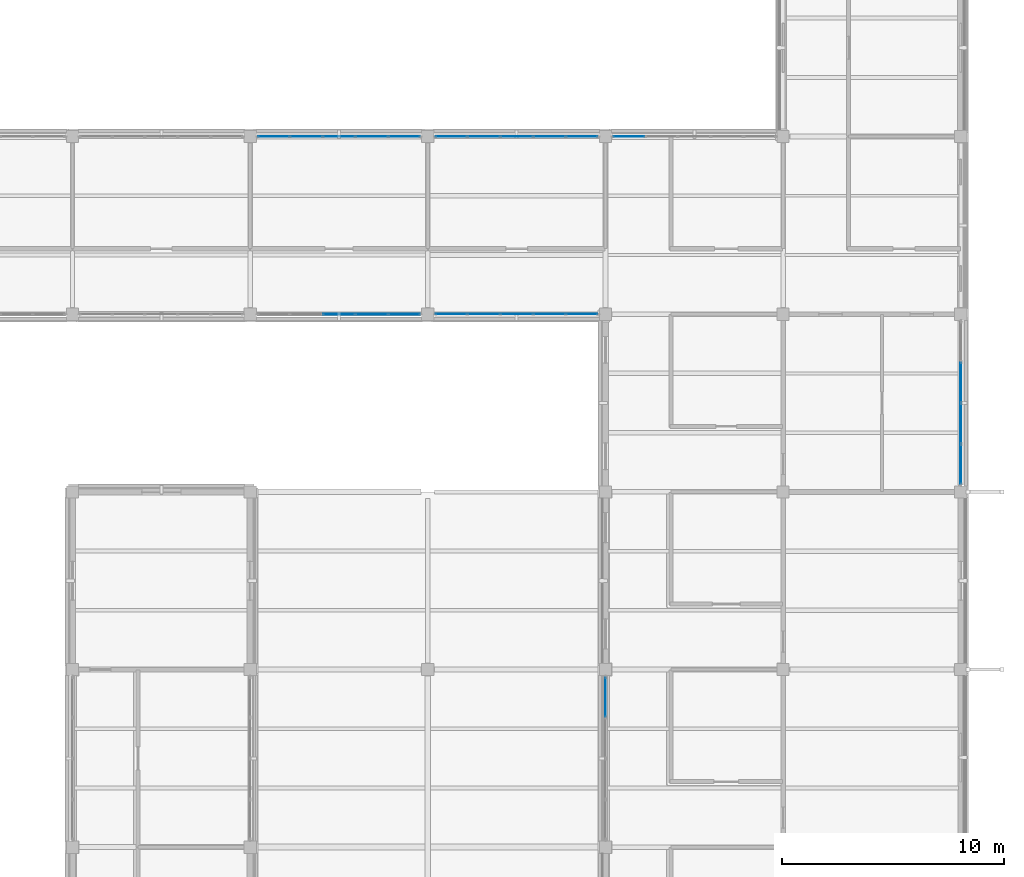
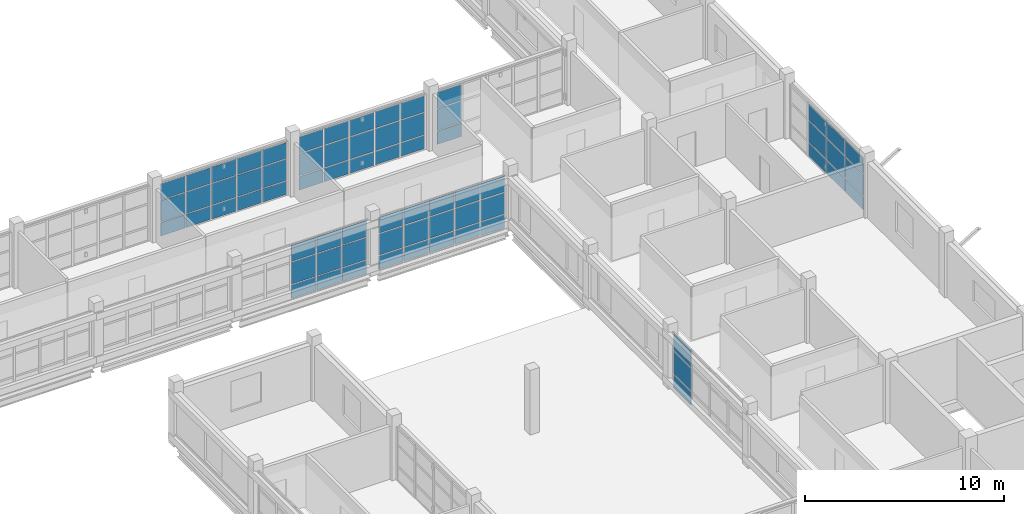
# One storey, part 67 of 107: 69 plates, 7 elements without a shape of their own.
"""IFC4 building model written with IfcOpenShell, lengths in metres."""

from ifc_helpers import new_model, si_unit, derived_unit, direction, frame, origin, origin_2d, place, context, subcontext, project, spatial, rectangle, extrude, material, layer, layer_set, type_object, element, aggregate, save


model = new_model("IFC4")

# Units and contexts
model_context = context("Model", 3, precision=1e-05, world=origin(), true_north=direction((0.0, 1.0)))
body_context = subcontext(model_context, "Body", "Model", "MODEL_VIEW")
ifc_project = project(units=[si_unit("LENGTHUNIT", "METRE"), si_unit("AREAUNIT", "SQUARE_METRE"), si_unit("VOLUMEUNIT", "CUBIC_METRE"), si_unit("PLANEANGLEUNIT", "RADIAN"), si_unit("MASSUNIT", "GRAM", prefix="KILO"), derived_unit("THERMALTRANSMITTANCEUNIT", [(si_unit("MASSUNIT", "GRAM", prefix="KILO"), 1), (si_unit("TIMEUNIT", "SECOND"), -3), (si_unit("THERMODYNAMICTEMPERATUREUNIT", "KELVIN"), -1)])], contexts=[model_context])

# Site, building, storey
site_placement = place(None, origin())
site = spatial("IfcSite", under=ifc_project, at=site_placement, CompositionType="ELEMENT")
building_placement = place(site_placement, origin())
building = spatial("IfcBuilding", under=site, at=building_placement, Name="Veyamyaing Civic Hall", CompositionType="ELEMENT")
storey_placement = place(building_placement, frame((0.0, 0.0, 13.860107421875)))
storey = spatial("IfcBuildingStorey", under=building, at=storey_placement, Name="L03", CompositionType="ELEMENT", Elevation=13.860107421875)

# Curtain wall, plates
ifc_material_1 = material(Name="Anodised aluminium 6063-T6", Category="aluminium")
ifc_layer_1 = layer(ifc_material_1, 0.139892578125, Name="Anodised aluminium 6063-T6")
ifc_layer_set_1 = layer_set([ifc_layer_1], Name="Anodised aluminium 6063-T6")
curtain_wall_type_1 = type_object("IfcCurtainWallType", Name="CW-04", PredefinedType="NOTDEFINED", material=ifc_layer_set_1)
curtain_wall_1_placement = place(storey_placement, origin())
curtain_wall_1 = element("IfcCurtainWall", 1, at=curtain_wall_1_placement, inside=storey, type_object=curtain_wall_type_1, Name="Unitized curtain wall CW-04 L03 N 21.7", PredefinedType="NOTDEFINED")
ifc_material_2 = material(Name="Low-E insulated glass", Category="glass")
ifc_layer_2 = layer(ifc_material_2, 0.028076171875, Name="Low-E insulated glass")
ifc_layer_set_2 = layer_set([ifc_layer_2], Name="Low-E insulated glass")
plate_type_1 = type_object("IfcPlateType", Name="CWP-01", PredefinedType="CURTAIN_PANEL", material=ifc_layer_set_2)
plate_1_placement = place(storey_placement, frame((161.05908203125, 56.0, 0.059814453125), z_axis=(0.0, 0.0, 1.0), x_axis=(1.0, 0.0, 0.0)))
plate_1 = element("IfcPlate", 2, at=plate_1_placement, type_object=plate_type_1, Name="CW-04 panel 1.1", PredefinedType="CURTAIN_PANEL", context=body_context, shape_type="SweptSolid", body=[
    extrude(rectangle(XDim=1.387939453125, YDim=0.028076171875, at=origin_2d()), origin(), (0.0, 0.0, 1.0), 0.81005859375),
])
plate_2_placement = place(storey_placement, frame((161.05908203125, 56.0, 0.929931640625), z_axis=(0.0, 0.0, 1.0), x_axis=(1.0, 0.0, 0.0)))
plate_2 = element("IfcPlate", 3, at=plate_2_placement, type_object=plate_type_1, Name="CW-04 panel 1.2", PredefinedType="CURTAIN_PANEL", context=body_context, shape_type="SweptSolid", body=[
    extrude(rectangle(XDim=1.387939453125, YDim=0.028076171875, at=origin_2d()), origin(), (0.0, 0.0, 1.0), 1.28662109375),
])
plate_3_placement = place(storey_placement, frame((161.05908203125, 56.0, 2.276611328125), z_axis=(0.0, 0.0, 1.0), x_axis=(1.0, 0.0, 0.0)))
plate_3 = element("IfcPlate", 4, at=plate_3_placement, type_object=plate_type_1, Name="CW-04 panel 1.3", PredefinedType="CURTAIN_PANEL", context=body_context, shape_type="SweptSolid", body=[
    extrude(rectangle(XDim=1.387939453125, YDim=0.028076171875, at=origin_2d()), origin(), (0.0, 0.0, 1.0), 0.96728515625),
])
aggregate(curtain_wall_1, [plate_1, plate_2, plate_3])

ifc_layer_3 = layer(ifc_material_1, 0.159912109375, Name="Anodised aluminium 6063-T6")
ifc_layer_set_3 = layer_set([ifc_layer_3], Name="Anodised aluminium 6063-T6")
curtain_wall_type_2 = type_object("IfcCurtainWallType", Name="CW-07", PredefinedType="NOTDEFINED", material=ifc_layer_set_3)
curtain_wall_2_placement = place(storey_placement, origin())
curtain_wall_2 = element("IfcCurtainWall", 5, at=curtain_wall_2_placement, inside=storey, type_object=curtain_wall_type_2, Name="Unitized curtain wall CW-07 L03 E 22.6", PredefinedType="NOTDEFINED")
plate_4_placement = place(storey_placement, frame((176.0, 41.2451171875, 0.06494140625), z_axis=(0.0, 0.0, 1.0), x_axis=(0.0, 1.0, 0.0)))
plate_4 = element("IfcPlate", 6, at=plate_4_placement, type_object=plate_type_1, Name="CW-07 panel 1.1", PredefinedType="CURTAIN_PANEL", context=body_context, shape_type="SweptSolid", body=[
    extrude(rectangle(XDim=1.75, YDim=0.028076171875, at=origin_2d()), origin(), (0.0, 0.0, 1.0), 0.802490234375),
])
plate_5_placement = place(storey_placement, frame((176.0, 41.2451171875, 0.932373046875), z_axis=(0.0, 0.0, 1.0), x_axis=(0.0, 1.0, 0.0)))
plate_5 = element("IfcPlate", 7, at=plate_5_placement, type_object=plate_type_1, Name="CW-07 panel 1.2", PredefinedType="CURTAIN_PANEL", context=body_context, shape_type="SweptSolid", body=[
    extrude(rectangle(XDim=1.75, YDim=0.028076171875, at=origin_2d()), origin(), (0.0, 0.0, 1.0), 1.28173828125),
])
plate_6_placement = place(storey_placement, frame((176.0, 41.2451171875, 2.279296875), z_axis=(0.0, 0.0, 1.0), x_axis=(0.0, 1.0, 0.0)))
plate_6 = element("IfcPlate", 8, at=plate_6_placement, type_object=plate_type_1, Name="CW-07 panel 1.3", PredefinedType="CURTAIN_PANEL", context=body_context, shape_type="SweptSolid", body=[
    extrude(rectangle(XDim=1.75, YDim=0.028076171875, at=origin_2d()), origin(), (0.0, 0.0, 1.0), 0.959716796875),
])
plate_7_placement = place(storey_placement, frame((176.0, 43.076171875, 0.06494140625), z_axis=(0.0, 0.0, 1.0), x_axis=(0.0, 1.0, 0.0)))
plate_7 = element("IfcPlate", 9, at=plate_7_placement, type_object=plate_type_1, Name="CW-07 panel 2.1", PredefinedType="CURTAIN_PANEL", context=body_context, shape_type="SweptSolid", body=[
    extrude(rectangle(XDim=1.782470703125, YDim=0.028076171875, at=origin_2d()), origin(), (0.0, 0.0, 1.0), 0.802490234375),
])
plate_8_placement = place(storey_placement, frame((176.0, 43.076171875, 0.932373046875), z_axis=(0.0, 0.0, 1.0), x_axis=(0.0, 1.0, 0.0)))
plate_8 = element("IfcPlate", 10, at=plate_8_placement, type_object=plate_type_1, Name="CW-07 panel 2.2", PredefinedType="CURTAIN_PANEL", context=body_context, shape_type="SweptSolid", body=[
    extrude(rectangle(XDim=1.782470703125, YDim=0.028076171875, at=origin_2d()), origin(), (0.0, 0.0, 1.0), 1.28173828125),
])
plate_9_placement = place(storey_placement, frame((176.0, 43.076171875, 2.279296875), z_axis=(0.0, 0.0, 1.0), x_axis=(0.0, 1.0, 0.0)))
plate_9 = element("IfcPlate", 11, at=plate_9_placement, type_object=plate_type_1, Name="CW-07 panel 2.3", PredefinedType="CURTAIN_PANEL", context=body_context, shape_type="SweptSolid", body=[
    extrude(rectangle(XDim=1.782470703125, YDim=0.028076171875, at=origin_2d()), origin(), (0.0, 0.0, 1.0), 0.959716796875),
])
plate_10_placement = place(storey_placement, frame((176.0, 44.923828125, 0.06494140625), z_axis=(0.0, 0.0, 1.0), x_axis=(0.0, 1.0, 0.0)))
plate_10 = element("IfcPlate", 12, at=plate_10_placement, type_object=plate_type_1, Name="CW-07 panel 3.1", PredefinedType="CURTAIN_PANEL", context=body_context, shape_type="SweptSolid", body=[
    extrude(rectangle(XDim=1.782470703125, YDim=0.028076171875, at=origin_2d()), origin(), (0.0, 0.0, 1.0), 0.802490234375),
])
plate_11_placement = place(storey_placement, frame((176.0, 44.923828125, 0.932373046875), z_axis=(0.0, 0.0, 1.0), x_axis=(0.0, 1.0, 0.0)))
plate_11 = element("IfcPlate", 13, at=plate_11_placement, type_object=plate_type_1, Name="CW-07 panel 3.2", PredefinedType="CURTAIN_PANEL", context=body_context, shape_type="SweptSolid", body=[
    extrude(rectangle(XDim=1.782470703125, YDim=0.028076171875, at=origin_2d()), origin(), (0.0, 0.0, 1.0), 1.28173828125),
])
plate_12_placement = place(storey_placement, frame((176.0, 44.923828125, 2.279296875), z_axis=(0.0, 0.0, 1.0), x_axis=(0.0, 1.0, 0.0)))
plate_12 = element("IfcPlate", 14, at=plate_12_placement, type_object=plate_type_1, Name="CW-07 panel 3.3", PredefinedType="CURTAIN_PANEL", context=body_context, shape_type="SweptSolid", body=[
    extrude(rectangle(XDim=1.782470703125, YDim=0.028076171875, at=origin_2d()), origin(), (0.0, 0.0, 1.0), 0.959716796875),
])
aggregate(curtain_wall_2, [plate_4, plate_5, plate_6, plate_7, plate_8, plate_9, plate_10, plate_11, plate_12])

curtain_wall_3_placement = place(storey_placement, origin())
curtain_wall_3 = element("IfcCurtainWall", 15, at=curtain_wall_3_placement, inside=storey, type_object=curtain_wall_type_2, Name="Unitized curtain wall CW-07 L03 W 21.4", PredefinedType="NOTDEFINED")
ifc_layer_4 = layer(ifc_material_2, 0.02392578125, Name="Low-E insulated glass")
ifc_layer_set_4 = layer_set([ifc_layer_4], Name="Low-E insulated glass")
plate_type_2 = type_object("IfcPlateType", Name="CWP-04", PredefinedType="CURTAIN_PANEL", material=ifc_layer_set_4)
plate_13_placement = place(storey_placement, frame((160.0, 30.7548828125, 0.06494140625), z_axis=(0.0, 0.0, 1.0), x_axis=(0.0, 1.0, 0.0)))
plate_13 = element("IfcPlate", 16, at=plate_13_placement, type_object=plate_type_2, Name="CW-07 panel 4.1", PredefinedType="CURTAIN_PANEL", context=body_context, shape_type="SweptSolid", body=[
    extrude(rectangle(XDim=1.75, YDim=0.02392578125, at=origin_2d()), origin(), (0.0, 0.0, 1.0), 0.802490234375),
])
plate_14_placement = place(storey_placement, frame((160.0, 30.7548828125, 0.932373046875), z_axis=(0.0, 0.0, 1.0), x_axis=(0.0, 1.0, 0.0)))
plate_14 = element("IfcPlate", 17, at=plate_14_placement, type_object=plate_type_2, Name="CW-07 panel 4.2", PredefinedType="CURTAIN_PANEL", context=body_context, shape_type="SweptSolid", body=[
    extrude(rectangle(XDim=1.75, YDim=0.02392578125, at=origin_2d()), origin(), (0.0, 0.0, 1.0), 1.3837890625),
])
plate_15_placement = place(storey_placement, frame((160.0, 30.7548828125, 2.381103515625), z_axis=(0.0, 0.0, 1.0), x_axis=(0.0, 1.0, 0.0)))
plate_15 = element("IfcPlate", 18, at=plate_15_placement, type_object=plate_type_2, Name="CW-07 panel 4.3", PredefinedType="CURTAIN_PANEL", context=body_context, shape_type="SweptSolid", body=[
    extrude(rectangle(XDim=1.75, YDim=0.02392578125, at=origin_2d()), origin(), (0.0, 0.0, 1.0), 1.0078125),
])
aggregate(curtain_wall_3, [plate_13, plate_14, plate_15])

curtain_wall_4_placement = place(storey_placement, origin())
curtain_wall_4 = element("IfcCurtainWall", 19, at=curtain_wall_4_placement, inside=storey, type_object=curtain_wall_type_1, Name="Unitized curtain wall CW-04 L03 S 19.7", PredefinedType="NOTDEFINED")
ifc_layer_5 = layer(ifc_material_2, 0.0400390625, Name="Low-E insulated glass")
ifc_layer_set_5 = layer_set([ifc_layer_5], Name="Low-E insulated glass")
plate_type_3 = type_object("IfcPlateType", Name="CWP-05", PredefinedType="CURTAIN_PANEL", material=ifc_layer_set_5)
plate_16_placement = place(storey_placement, frame((148.0, 48.0, 0.059814453125), z_axis=(0.0, 0.0, 1.0), x_axis=(1.0, 0.0, 0.0)))
plate_16 = element("IfcPlate", 20, at=plate_16_placement, type_object=plate_type_3, Name="CW-04 panel 3.1", PredefinedType="CURTAIN_PANEL", context=body_context, shape_type="SweptSolid", body=[
    extrude(rectangle(XDim=1.41796875, YDim=0.0400390625, at=origin_2d()), origin(), (0.0, 0.0, 1.0), 0.81005859375),
])
plate_17_placement = place(storey_placement, frame((148.0, 48.0, 0.929931640625), z_axis=(0.0, 0.0, 1.0), x_axis=(1.0, 0.0, 0.0)))
plate_17 = element("IfcPlate", 21, at=plate_17_placement, type_object=plate_type_3, Name="CW-04 panel 3.2", PredefinedType="CURTAIN_PANEL", context=body_context, shape_type="SweptSolid", body=[
    extrude(rectangle(XDim=1.41796875, YDim=0.0400390625, at=origin_2d()), origin(), (0.0, 0.0, 1.0), 1.32958984375),
])
plate_18_placement = place(storey_placement, frame((148.0, 48.0, 2.319580078125), z_axis=(0.0, 0.0, 1.0), x_axis=(1.0, 0.0, 0.0)))
plate_18 = element("IfcPlate", 22, at=plate_18_placement, type_object=plate_type_3, Name="CW-04 panel 3.3", PredefinedType="CURTAIN_PANEL", context=body_context, shape_type="SweptSolid", body=[
    extrude(rectangle(XDim=1.41796875, YDim=0.0400390625, at=origin_2d()), origin(), (0.0, 0.0, 1.0), 0.9873046875),
])
plate_19_placement = place(storey_placement, frame((149.47802734375, 48.0, 0.059814453125), z_axis=(0.0, 0.0, 1.0), x_axis=(1.0, 0.0, 0.0)))
plate_19 = element("IfcPlate", 23, at=plate_19_placement, type_object=plate_type_3, Name="CW-04 panel 4.1", PredefinedType="CURTAIN_PANEL", context=body_context, shape_type="SweptSolid", body=[
    extrude(rectangle(XDim=1.41796875, YDim=0.0400390625, at=origin_2d()), origin(), (0.0, 0.0, 1.0), 0.81005859375),
])
plate_20_placement = place(storey_placement, frame((149.47802734375, 48.0, 0.929931640625), z_axis=(0.0, 0.0, 1.0), x_axis=(1.0, 0.0, 0.0)))
plate_20 = element("IfcPlate", 24, at=plate_20_placement, type_object=plate_type_3, Name="CW-04 panel 4.2", PredefinedType="CURTAIN_PANEL", context=body_context, shape_type="SweptSolid", body=[
    extrude(rectangle(XDim=1.41796875, YDim=0.0400390625, at=origin_2d()), origin(), (0.0, 0.0, 1.0), 1.32958984375),
])
plate_21_placement = place(storey_placement, frame((149.47802734375, 48.0, 2.319580078125), z_axis=(0.0, 0.0, 1.0), x_axis=(1.0, 0.0, 0.0)))
plate_21 = element("IfcPlate", 25, at=plate_21_placement, type_object=plate_type_3, Name="CW-04 panel 4.3", PredefinedType="CURTAIN_PANEL", context=body_context, shape_type="SweptSolid", body=[
    extrude(rectangle(XDim=1.41796875, YDim=0.0400390625, at=origin_2d()), origin(), (0.0, 0.0, 1.0), 0.9873046875),
])
plate_22_placement = place(storey_placement, frame((150.94091796875, 48.0, 0.059814453125), z_axis=(0.0, 0.0, 1.0), x_axis=(1.0, 0.0, 0.0)))
plate_22 = element("IfcPlate", 26, at=plate_22_placement, type_object=plate_type_3, Name="CW-04 panel 5.1", PredefinedType="CURTAIN_PANEL", context=body_context, shape_type="SweptSolid", body=[
    extrude(rectangle(XDim=1.387939453125, YDim=0.0400390625, at=origin_2d()), origin(), (0.0, 0.0, 1.0), 0.81005859375),
])
plate_23_placement = place(storey_placement, frame((150.94091796875, 48.0, 0.929931640625), z_axis=(0.0, 0.0, 1.0), x_axis=(1.0, 0.0, 0.0)))
plate_23 = element("IfcPlate", 27, at=plate_23_placement, type_object=plate_type_3, Name="CW-04 panel 5.2", PredefinedType="CURTAIN_PANEL", context=body_context, shape_type="SweptSolid", body=[
    extrude(rectangle(XDim=1.387939453125, YDim=0.0400390625, at=origin_2d()), origin(), (0.0, 0.0, 1.0), 1.32958984375),
])
plate_24_placement = place(storey_placement, frame((150.94091796875, 48.0, 2.319580078125), z_axis=(0.0, 0.0, 1.0), x_axis=(1.0, 0.0, 0.0)))
plate_24 = element("IfcPlate", 28, at=plate_24_placement, type_object=plate_type_3, Name="CW-04 panel 5.3", PredefinedType="CURTAIN_PANEL", context=body_context, shape_type="SweptSolid", body=[
    extrude(rectangle(XDim=1.387939453125, YDim=0.0400390625, at=origin_2d()), origin(), (0.0, 0.0, 1.0), 0.9873046875),
])
aggregate(curtain_wall_4, [plate_16, plate_17, plate_18, plate_19, plate_20, plate_21, plate_22, plate_23, plate_24])

curtain_wall_5_placement = place(storey_placement, origin())
curtain_wall_5 = element("IfcCurtainWall", 29, at=curtain_wall_5_placement, inside=storey, type_object=curtain_wall_type_1, Name="Unitized curtain wall CW-04 L03 N 19.7", PredefinedType="NOTDEFINED")
plate_25_placement = place(storey_placement, frame((145.05908203125, 56.0, 0.059814453125), z_axis=(0.0, 0.0, 1.0), x_axis=(1.0, 0.0, 0.0)))
plate_25 = element("IfcPlate", 30, at=plate_25_placement, type_object=plate_type_3, Name="CW-04 panel 1.1", PredefinedType="CURTAIN_PANEL", context=body_context, shape_type="SweptSolid", body=[
    extrude(rectangle(XDim=1.387939453125, YDim=0.0400390625, at=origin_2d()), origin(), (0.0, 0.0, 1.0), 0.81005859375),
])
plate_26_placement = place(storey_placement, frame((145.05908203125, 56.0, 0.9296875), z_axis=(0.0, 0.0, 1.0), x_axis=(1.0, 0.0, 0.0)))
plate_26 = element("IfcPlate", 31, at=plate_26_placement, type_object=plate_type_3, Name="CW-04 panel 1.2", PredefinedType="CURTAIN_PANEL", context=body_context, shape_type="SweptSolid", body=[
    extrude(rectangle(XDim=1.387939453125, YDim=0.0400390625, at=origin_2d()), origin(), (0.0, 0.0, 1.0), 1.283935546875),
])
plate_27_placement = place(storey_placement, frame((145.05908203125, 56.0, 2.27392578125), z_axis=(0.0, 0.0, 1.0), x_axis=(1.0, 0.0, 0.0)))
plate_27 = element("IfcPlate", 32, at=plate_27_placement, type_object=plate_type_3, Name="CW-04 panel 1.3", PredefinedType="CURTAIN_PANEL", context=body_context, shape_type="SweptSolid", body=[
    extrude(rectangle(XDim=1.387939453125, YDim=0.0400390625, at=origin_2d()), origin(), (0.0, 0.0, 1.0), 0.966064453125),
])
plate_28_placement = place(storey_placement, frame((146.52197265625, 56.0, 0.059814453125), z_axis=(0.0, 0.0, 1.0), x_axis=(1.0, 0.0, 0.0)))
plate_28 = element("IfcPlate", 33, at=plate_28_placement, type_object=plate_type_3, Name="CW-04 panel 2.1", PredefinedType="CURTAIN_PANEL", context=body_context, shape_type="SweptSolid", body=[
    extrude(rectangle(XDim=1.41796875, YDim=0.0400390625, at=origin_2d()), origin(), (0.0, 0.0, 1.0), 0.81005859375),
])
plate_29_placement = place(storey_placement, frame((146.52197265625, 56.0, 0.9296875), z_axis=(0.0, 0.0, 1.0), x_axis=(1.0, 0.0, 0.0)))
plate_29 = element("IfcPlate", 34, at=plate_29_placement, type_object=plate_type_3, Name="CW-04 panel 2.2", PredefinedType="CURTAIN_PANEL", context=body_context, shape_type="SweptSolid", body=[
    extrude(rectangle(XDim=1.41796875, YDim=0.0400390625, at=origin_2d()), origin(), (0.0, 0.0, 1.0), 1.283935546875),
])
plate_30_placement = place(storey_placement, frame((146.52197265625, 56.0, 2.27392578125), z_axis=(0.0, 0.0, 1.0), x_axis=(1.0, 0.0, 0.0)))
plate_30 = element("IfcPlate", 35, at=plate_30_placement, type_object=plate_type_3, Name="CW-04 panel 2.3", PredefinedType="CURTAIN_PANEL", context=body_context, shape_type="SweptSolid", body=[
    extrude(rectangle(XDim=1.41796875, YDim=0.0400390625, at=origin_2d()), origin(), (0.0, 0.0, 1.0), 0.966064453125),
])
plate_31_placement = place(storey_placement, frame((148.0, 56.0, 0.059814453125), z_axis=(0.0, 0.0, 1.0), x_axis=(1.0, 0.0, 0.0)))
plate_31 = element("IfcPlate", 36, at=plate_31_placement, type_object=plate_type_3, Name="CW-04 panel 3.1", PredefinedType="CURTAIN_PANEL", context=body_context, shape_type="SweptSolid", body=[
    extrude(rectangle(XDim=1.41796875, YDim=0.0400390625, at=origin_2d()), origin(), (0.0, 0.0, 1.0), 0.81005859375),
])
plate_32_placement = place(storey_placement, frame((148.0, 56.0, 0.9296875), z_axis=(0.0, 0.0, 1.0), x_axis=(1.0, 0.0, 0.0)))
plate_32 = element("IfcPlate", 37, at=plate_32_placement, type_object=plate_type_3, Name="CW-04 panel 3.2", PredefinedType="CURTAIN_PANEL", context=body_context, shape_type="SweptSolid", body=[
    extrude(rectangle(XDim=1.41796875, YDim=0.0400390625, at=origin_2d()), origin(), (0.0, 0.0, 1.0), 1.283935546875),
])
plate_33_placement = place(storey_placement, frame((148.0, 56.0, 2.27392578125), z_axis=(0.0, 0.0, 1.0), x_axis=(1.0, 0.0, 0.0)))
plate_33 = element("IfcPlate", 38, at=plate_33_placement, type_object=plate_type_3, Name="CW-04 panel 3.3", PredefinedType="CURTAIN_PANEL", context=body_context, shape_type="SweptSolid", body=[
    extrude(rectangle(XDim=1.41796875, YDim=0.0400390625, at=origin_2d()), origin(), (0.0, 0.0, 1.0), 0.966064453125),
])
plate_34_placement = place(storey_placement, frame((149.47802734375, 56.0, 0.059814453125), z_axis=(0.0, 0.0, 1.0), x_axis=(1.0, 0.0, 0.0)))
plate_34 = element("IfcPlate", 39, at=plate_34_placement, type_object=plate_type_3, Name="CW-04 panel 4.1", PredefinedType="CURTAIN_PANEL", context=body_context, shape_type="SweptSolid", body=[
    extrude(rectangle(XDim=1.41796875, YDim=0.0400390625, at=origin_2d()), origin(), (0.0, 0.0, 1.0), 0.81005859375),
])
plate_35_placement = place(storey_placement, frame((149.47802734375, 56.0, 0.9296875), z_axis=(0.0, 0.0, 1.0), x_axis=(1.0, 0.0, 0.0)))
plate_35 = element("IfcPlate", 40, at=plate_35_placement, type_object=plate_type_3, Name="CW-04 panel 4.2", PredefinedType="CURTAIN_PANEL", context=body_context, shape_type="SweptSolid", body=[
    extrude(rectangle(XDim=1.41796875, YDim=0.0400390625, at=origin_2d()), origin(), (0.0, 0.0, 1.0), 1.283935546875),
])
plate_36_placement = place(storey_placement, frame((149.47802734375, 56.0, 2.27392578125), z_axis=(0.0, 0.0, 1.0), x_axis=(1.0, 0.0, 0.0)))
plate_36 = element("IfcPlate", 41, at=plate_36_placement, type_object=plate_type_3, Name="CW-04 panel 4.3", PredefinedType="CURTAIN_PANEL", context=body_context, shape_type="SweptSolid", body=[
    extrude(rectangle(XDim=1.41796875, YDim=0.0400390625, at=origin_2d()), origin(), (0.0, 0.0, 1.0), 0.966064453125),
])
plate_37_placement = place(storey_placement, frame((150.94091796875, 56.0, 0.059814453125), z_axis=(0.0, 0.0, 1.0), x_axis=(1.0, 0.0, 0.0)))
plate_37 = element("IfcPlate", 42, at=plate_37_placement, type_object=plate_type_3, Name="CW-04 panel 5.1", PredefinedType="CURTAIN_PANEL", context=body_context, shape_type="SweptSolid", body=[
    extrude(rectangle(XDim=1.387939453125, YDim=0.0400390625, at=origin_2d()), origin(), (0.0, 0.0, 1.0), 0.81005859375),
])
plate_38_placement = place(storey_placement, frame((150.94091796875, 56.0, 0.9296875), z_axis=(0.0, 0.0, 1.0), x_axis=(1.0, 0.0, 0.0)))
plate_38 = element("IfcPlate", 43, at=plate_38_placement, type_object=plate_type_3, Name="CW-04 panel 5.2", PredefinedType="CURTAIN_PANEL", context=body_context, shape_type="SweptSolid", body=[
    extrude(rectangle(XDim=1.387939453125, YDim=0.0400390625, at=origin_2d()), origin(), (0.0, 0.0, 1.0), 1.283935546875),
])
plate_39_placement = place(storey_placement, frame((150.94091796875, 56.0, 2.27392578125), z_axis=(0.0, 0.0, 1.0), x_axis=(1.0, 0.0, 0.0)))
plate_39 = element("IfcPlate", 44, at=plate_39_placement, type_object=plate_type_3, Name="CW-04 panel 5.3", PredefinedType="CURTAIN_PANEL", context=body_context, shape_type="SweptSolid", body=[
    extrude(rectangle(XDim=1.387939453125, YDim=0.0400390625, at=origin_2d()), origin(), (0.0, 0.0, 1.0), 0.966064453125),
])
aggregate(curtain_wall_5, [plate_25, plate_26, plate_27, plate_28, plate_29, plate_30, plate_31, plate_32, plate_33, plate_34, plate_35, plate_36, plate_37, plate_38, plate_39])

curtain_wall_6_placement = place(storey_placement, origin())
curtain_wall_6 = element("IfcCurtainWall", 45, at=curtain_wall_6_placement, inside=storey, type_object=curtain_wall_type_1, Name="Unitized curtain wall CW-04 L03 S 20.7", PredefinedType="NOTDEFINED")
ifc_layer_6 = layer(ifc_material_2, 0.02197265625, Name="Low-E insulated glass")
ifc_layer_set_6 = layer_set([ifc_layer_6], Name="Low-E insulated glass")
plate_type_4 = type_object("IfcPlateType", Name="CWP-06", PredefinedType="CURTAIN_PANEL", material=ifc_layer_set_6)
plate_40_placement = place(storey_placement, frame((153.05908203125, 48.0, 0.059814453125), z_axis=(0.0, 0.0, 1.0), x_axis=(1.0, 0.0, 0.0)))
plate_40 = element("IfcPlate", 46, at=plate_40_placement, type_object=plate_type_4, Name="CW-04 panel 1.1", PredefinedType="CURTAIN_PANEL", context=body_context, shape_type="SweptSolid", body=[
    extrude(rectangle(XDim=1.387939453125, YDim=0.02197265625, at=origin_2d()), origin(), (0.0, 0.0, 1.0), 0.81005859375),
])
plate_41_placement = place(storey_placement, frame((153.05908203125, 48.0, 0.9296875), z_axis=(0.0, 0.0, 1.0), x_axis=(1.0, 0.0, 0.0)))
plate_41 = element("IfcPlate", 47, at=plate_41_placement, type_object=plate_type_4, Name="CW-04 panel 1.2", PredefinedType="CURTAIN_PANEL", context=body_context, shape_type="SweptSolid", body=[
    extrude(rectangle(XDim=1.387939453125, YDim=0.02197265625, at=origin_2d()), origin(), (0.0, 0.0, 1.0), 1.283935546875),
])
plate_42_placement = place(storey_placement, frame((153.05908203125, 48.0, 2.27392578125), z_axis=(0.0, 0.0, 1.0), x_axis=(1.0, 0.0, 0.0)))
plate_42 = element("IfcPlate", 48, at=plate_42_placement, type_object=plate_type_4, Name="CW-04 panel 1.3", PredefinedType="CURTAIN_PANEL", context=body_context, shape_type="SweptSolid", body=[
    extrude(rectangle(XDim=1.387939453125, YDim=0.02197265625, at=origin_2d()), origin(), (0.0, 0.0, 1.0), 0.966064453125),
])
plate_43_placement = place(storey_placement, frame((154.52197265625, 48.0, 0.059814453125), z_axis=(0.0, 0.0, 1.0), x_axis=(1.0, 0.0, 0.0)))
plate_43 = element("IfcPlate", 49, at=plate_43_placement, type_object=plate_type_4, Name="CW-04 panel 2.1", PredefinedType="CURTAIN_PANEL", context=body_context, shape_type="SweptSolid", body=[
    extrude(rectangle(XDim=1.41796875, YDim=0.02197265625, at=origin_2d()), origin(), (0.0, 0.0, 1.0), 0.81005859375),
])
plate_44_placement = place(storey_placement, frame((154.52197265625, 48.0, 0.9296875), z_axis=(0.0, 0.0, 1.0), x_axis=(1.0, 0.0, 0.0)))
plate_44 = element("IfcPlate", 50, at=plate_44_placement, type_object=plate_type_4, Name="CW-04 panel 2.2", PredefinedType="CURTAIN_PANEL", context=body_context, shape_type="SweptSolid", body=[
    extrude(rectangle(XDim=1.41796875, YDim=0.02197265625, at=origin_2d()), origin(), (0.0, 0.0, 1.0), 1.283935546875),
])
plate_45_placement = place(storey_placement, frame((154.52197265625, 48.0, 2.27392578125), z_axis=(0.0, 0.0, 1.0), x_axis=(1.0, 0.0, 0.0)))
plate_45 = element("IfcPlate", 51, at=plate_45_placement, type_object=plate_type_4, Name="CW-04 panel 2.3", PredefinedType="CURTAIN_PANEL", context=body_context, shape_type="SweptSolid", body=[
    extrude(rectangle(XDim=1.41796875, YDim=0.02197265625, at=origin_2d()), origin(), (0.0, 0.0, 1.0), 0.966064453125),
])
plate_46_placement = place(storey_placement, frame((156.0, 48.0, 0.059814453125), z_axis=(0.0, 0.0, 1.0), x_axis=(1.0, 0.0, 0.0)))
plate_46 = element("IfcPlate", 52, at=plate_46_placement, type_object=plate_type_4, Name="CW-04 panel 3.1", PredefinedType="CURTAIN_PANEL", context=body_context, shape_type="SweptSolid", body=[
    extrude(rectangle(XDim=1.41796875, YDim=0.02197265625, at=origin_2d()), origin(), (0.0, 0.0, 1.0), 0.81005859375),
])
plate_47_placement = place(storey_placement, frame((156.0, 48.0, 0.9296875), z_axis=(0.0, 0.0, 1.0), x_axis=(1.0, 0.0, 0.0)))
plate_47 = element("IfcPlate", 53, at=plate_47_placement, type_object=plate_type_4, Name="CW-04 panel 3.2", PredefinedType="CURTAIN_PANEL", context=body_context, shape_type="SweptSolid", body=[
    extrude(rectangle(XDim=1.41796875, YDim=0.02197265625, at=origin_2d()), origin(), (0.0, 0.0, 1.0), 1.283935546875),
])
plate_48_placement = place(storey_placement, frame((156.0, 48.0, 2.27392578125), z_axis=(0.0, 0.0, 1.0), x_axis=(1.0, 0.0, 0.0)))
plate_48 = element("IfcPlate", 54, at=plate_48_placement, type_object=plate_type_4, Name="CW-04 panel 3.3", PredefinedType="CURTAIN_PANEL", context=body_context, shape_type="SweptSolid", body=[
    extrude(rectangle(XDim=1.41796875, YDim=0.02197265625, at=origin_2d()), origin(), (0.0, 0.0, 1.0), 0.966064453125),
])
plate_49_placement = place(storey_placement, frame((157.47802734375, 48.0, 0.059814453125), z_axis=(0.0, 0.0, 1.0), x_axis=(1.0, 0.0, 0.0)))
plate_49 = element("IfcPlate", 55, at=plate_49_placement, type_object=plate_type_4, Name="CW-04 panel 4.1", PredefinedType="CURTAIN_PANEL", context=body_context, shape_type="SweptSolid", body=[
    extrude(rectangle(XDim=1.41796875, YDim=0.02197265625, at=origin_2d()), origin(), (0.0, 0.0, 1.0), 0.81005859375),
])
plate_50_placement = place(storey_placement, frame((157.47802734375, 48.0, 0.9296875), z_axis=(0.0, 0.0, 1.0), x_axis=(1.0, 0.0, 0.0)))
plate_50 = element("IfcPlate", 56, at=plate_50_placement, type_object=plate_type_4, Name="CW-04 panel 4.2", PredefinedType="CURTAIN_PANEL", context=body_context, shape_type="SweptSolid", body=[
    extrude(rectangle(XDim=1.41796875, YDim=0.02197265625, at=origin_2d()), origin(), (0.0, 0.0, 1.0), 1.283935546875),
])
plate_51_placement = place(storey_placement, frame((157.47802734375, 48.0, 2.27392578125), z_axis=(0.0, 0.0, 1.0), x_axis=(1.0, 0.0, 0.0)))
plate_51 = element("IfcPlate", 57, at=plate_51_placement, type_object=plate_type_4, Name="CW-04 panel 4.3", PredefinedType="CURTAIN_PANEL", context=body_context, shape_type="SweptSolid", body=[
    extrude(rectangle(XDim=1.41796875, YDim=0.02197265625, at=origin_2d()), origin(), (0.0, 0.0, 1.0), 0.966064453125),
])
plate_52_placement = place(storey_placement, frame((158.94091796875, 48.0, 0.059814453125), z_axis=(0.0, 0.0, 1.0), x_axis=(1.0, 0.0, 0.0)))
plate_52 = element("IfcPlate", 58, at=plate_52_placement, type_object=plate_type_4, Name="CW-04 panel 5.1", PredefinedType="CURTAIN_PANEL", context=body_context, shape_type="SweptSolid", body=[
    extrude(rectangle(XDim=1.387939453125, YDim=0.02197265625, at=origin_2d()), origin(), (0.0, 0.0, 1.0), 0.81005859375),
])
plate_53_placement = place(storey_placement, frame((158.94091796875, 48.0, 0.9296875), z_axis=(0.0, 0.0, 1.0), x_axis=(1.0, 0.0, 0.0)))
plate_53 = element("IfcPlate", 59, at=plate_53_placement, type_object=plate_type_4, Name="CW-04 panel 5.2", PredefinedType="CURTAIN_PANEL", context=body_context, shape_type="SweptSolid", body=[
    extrude(rectangle(XDim=1.387939453125, YDim=0.02197265625, at=origin_2d()), origin(), (0.0, 0.0, 1.0), 1.283935546875),
])
plate_54_placement = place(storey_placement, frame((158.94091796875, 48.0, 2.27392578125), z_axis=(0.0, 0.0, 1.0), x_axis=(1.0, 0.0, 0.0)))
plate_54 = element("IfcPlate", 60, at=plate_54_placement, type_object=plate_type_4, Name="CW-04 panel 5.3", PredefinedType="CURTAIN_PANEL", context=body_context, shape_type="SweptSolid", body=[
    extrude(rectangle(XDim=1.387939453125, YDim=0.02197265625, at=origin_2d()), origin(), (0.0, 0.0, 1.0), 0.966064453125),
])
aggregate(curtain_wall_6, [plate_40, plate_41, plate_42, plate_43, plate_44, plate_45, plate_46, plate_47, plate_48, plate_49, plate_50, plate_51, plate_52, plate_53, plate_54])

curtain_wall_7_placement = place(storey_placement, origin())
curtain_wall_7 = element("IfcCurtainWall", 61, at=curtain_wall_7_placement, inside=storey, type_object=curtain_wall_type_1, Name="Unitized curtain wall CW-04 L03 N 20.7", PredefinedType="NOTDEFINED")
plate_55_placement = place(storey_placement, frame((153.05908203125, 56.0, 0.059814453125), z_axis=(0.0, 0.0, 1.0), x_axis=(1.0, 0.0, 0.0)))
plate_55 = element("IfcPlate", 62, at=plate_55_placement, type_object=plate_type_4, Name="CW-04 panel 1.1", PredefinedType="CURTAIN_PANEL", context=body_context, shape_type="SweptSolid", body=[
    extrude(rectangle(XDim=1.387939453125, YDim=0.02197265625, at=origin_2d()), origin(), (0.0, 0.0, 1.0), 0.81005859375),
])
plate_56_placement = place(storey_placement, frame((153.05908203125, 56.0, 0.93017578125), z_axis=(0.0, 0.0, 1.0), x_axis=(1.0, 0.0, 0.0)))
plate_56 = element("IfcPlate", 63, at=plate_56_placement, type_object=plate_type_4, Name="CW-04 panel 1.2", PredefinedType="CURTAIN_PANEL", context=body_context, shape_type="SweptSolid", body=[
    extrude(rectangle(XDim=1.387939453125, YDim=0.02197265625, at=origin_2d()), origin(), (0.0, 0.0, 1.0), 1.327392578125),
])
plate_57_placement = place(storey_placement, frame((153.05908203125, 56.0, 2.3173828125), z_axis=(0.0, 0.0, 1.0), x_axis=(1.0, 0.0, 0.0)))
plate_57 = element("IfcPlate", 64, at=plate_57_placement, type_object=plate_type_4, Name="CW-04 panel 1.3", PredefinedType="CURTAIN_PANEL", context=body_context, shape_type="SweptSolid", body=[
    extrude(rectangle(XDim=1.387939453125, YDim=0.02197265625, at=origin_2d()), origin(), (0.0, 0.0, 1.0), 0.986572265625),
])
plate_58_placement = place(storey_placement, frame((154.52197265625, 56.0, 0.059814453125), z_axis=(0.0, 0.0, 1.0), x_axis=(1.0, 0.0, 0.0)))
plate_58 = element("IfcPlate", 65, at=plate_58_placement, type_object=plate_type_4, Name="CW-04 panel 2.1", PredefinedType="CURTAIN_PANEL", context=body_context, shape_type="SweptSolid", body=[
    extrude(rectangle(XDim=1.41796875, YDim=0.02197265625, at=origin_2d()), origin(), (0.0, 0.0, 1.0), 0.81005859375),
])
plate_59_placement = place(storey_placement, frame((154.52197265625, 56.0, 0.93017578125), z_axis=(0.0, 0.0, 1.0), x_axis=(1.0, 0.0, 0.0)))
plate_59 = element("IfcPlate", 66, at=plate_59_placement, type_object=plate_type_4, Name="CW-04 panel 2.2", PredefinedType="CURTAIN_PANEL", context=body_context, shape_type="SweptSolid", body=[
    extrude(rectangle(XDim=1.41796875, YDim=0.02197265625, at=origin_2d()), origin(), (0.0, 0.0, 1.0), 1.327392578125),
])
plate_60_placement = place(storey_placement, frame((154.52197265625, 56.0, 2.3173828125), z_axis=(0.0, 0.0, 1.0), x_axis=(1.0, 0.0, 0.0)))
plate_60 = element("IfcPlate", 67, at=plate_60_placement, type_object=plate_type_4, Name="CW-04 panel 2.3", PredefinedType="CURTAIN_PANEL", context=body_context, shape_type="SweptSolid", body=[
    extrude(rectangle(XDim=1.41796875, YDim=0.02197265625, at=origin_2d()), origin(), (0.0, 0.0, 1.0), 0.986572265625),
])
plate_61_placement = place(storey_placement, frame((156.0, 56.0, 0.059814453125), z_axis=(0.0, 0.0, 1.0), x_axis=(1.0, 0.0, 0.0)))
plate_61 = element("IfcPlate", 68, at=plate_61_placement, type_object=plate_type_4, Name="CW-04 panel 3.1", PredefinedType="CURTAIN_PANEL", context=body_context, shape_type="SweptSolid", body=[
    extrude(rectangle(XDim=1.41796875, YDim=0.02197265625, at=origin_2d()), origin(), (0.0, 0.0, 1.0), 0.81005859375),
])
plate_62_placement = place(storey_placement, frame((156.0, 56.0, 0.93017578125), z_axis=(0.0, 0.0, 1.0), x_axis=(1.0, 0.0, 0.0)))
plate_62 = element("IfcPlate", 69, at=plate_62_placement, type_object=plate_type_4, Name="CW-04 panel 3.2", PredefinedType="CURTAIN_PANEL", context=body_context, shape_type="SweptSolid", body=[
    extrude(rectangle(XDim=1.41796875, YDim=0.02197265625, at=origin_2d()), origin(), (0.0, 0.0, 1.0), 1.327392578125),
])
plate_63_placement = place(storey_placement, frame((156.0, 56.0, 2.3173828125), z_axis=(0.0, 0.0, 1.0), x_axis=(1.0, 0.0, 0.0)))
plate_63 = element("IfcPlate", 70, at=plate_63_placement, type_object=plate_type_4, Name="CW-04 panel 3.3", PredefinedType="CURTAIN_PANEL", context=body_context, shape_type="SweptSolid", body=[
    extrude(rectangle(XDim=1.41796875, YDim=0.02197265625, at=origin_2d()), origin(), (0.0, 0.0, 1.0), 0.986572265625),
])
plate_64_placement = place(storey_placement, frame((157.47802734375, 56.0, 0.059814453125), z_axis=(0.0, 0.0, 1.0), x_axis=(1.0, 0.0, 0.0)))
plate_64 = element("IfcPlate", 71, at=plate_64_placement, type_object=plate_type_4, Name="CW-04 panel 4.1", PredefinedType="CURTAIN_PANEL", context=body_context, shape_type="SweptSolid", body=[
    extrude(rectangle(XDim=1.41796875, YDim=0.02197265625, at=origin_2d()), origin(), (0.0, 0.0, 1.0), 0.81005859375),
])
plate_65_placement = place(storey_placement, frame((157.47802734375, 56.0, 0.93017578125), z_axis=(0.0, 0.0, 1.0), x_axis=(1.0, 0.0, 0.0)))
plate_65 = element("IfcPlate", 72, at=plate_65_placement, type_object=plate_type_4, Name="CW-04 panel 4.2", PredefinedType="CURTAIN_PANEL", context=body_context, shape_type="SweptSolid", body=[
    extrude(rectangle(XDim=1.41796875, YDim=0.02197265625, at=origin_2d()), origin(), (0.0, 0.0, 1.0), 1.327392578125),
])
plate_66_placement = place(storey_placement, frame((157.47802734375, 56.0, 2.3173828125), z_axis=(0.0, 0.0, 1.0), x_axis=(1.0, 0.0, 0.0)))
plate_66 = element("IfcPlate", 73, at=plate_66_placement, type_object=plate_type_4, Name="CW-04 panel 4.3", PredefinedType="CURTAIN_PANEL", context=body_context, shape_type="SweptSolid", body=[
    extrude(rectangle(XDim=1.41796875, YDim=0.02197265625, at=origin_2d()), origin(), (0.0, 0.0, 1.0), 0.986572265625),
])
plate_67_placement = place(storey_placement, frame((158.94091796875, 56.0, 0.059814453125), z_axis=(0.0, 0.0, 1.0), x_axis=(1.0, 0.0, 0.0)))
plate_67 = element("IfcPlate", 74, at=plate_67_placement, type_object=plate_type_4, Name="CW-04 panel 5.1", PredefinedType="CURTAIN_PANEL", context=body_context, shape_type="SweptSolid", body=[
    extrude(rectangle(XDim=1.387939453125, YDim=0.02197265625, at=origin_2d()), origin(), (0.0, 0.0, 1.0), 0.81005859375),
])
plate_68_placement = place(storey_placement, frame((158.94091796875, 56.0, 0.93017578125), z_axis=(0.0, 0.0, 1.0), x_axis=(1.0, 0.0, 0.0)))
plate_68 = element("IfcPlate", 75, at=plate_68_placement, type_object=plate_type_4, Name="CW-04 panel 5.2", PredefinedType="CURTAIN_PANEL", context=body_context, shape_type="SweptSolid", body=[
    extrude(rectangle(XDim=1.387939453125, YDim=0.02197265625, at=origin_2d()), origin(), (0.0, 0.0, 1.0), 1.327392578125),
])
plate_69_placement = place(storey_placement, frame((158.94091796875, 56.0, 2.3173828125), z_axis=(0.0, 0.0, 1.0), x_axis=(1.0, 0.0, 0.0)))
plate_69 = element("IfcPlate", 76, at=plate_69_placement, type_object=plate_type_4, Name="CW-04 panel 5.3", PredefinedType="CURTAIN_PANEL", context=body_context, shape_type="SweptSolid", body=[
    extrude(rectangle(XDim=1.387939453125, YDim=0.02197265625, at=origin_2d()), origin(), (0.0, 0.0, 1.0), 0.986572265625),
])
aggregate(curtain_wall_7, [plate_55, plate_56, plate_57, plate_58, plate_59, plate_60, plate_61, plate_62, plate_63, plate_64, plate_65, plate_66, plate_67, plate_68, plate_69])

save(model, "model.ifc")
